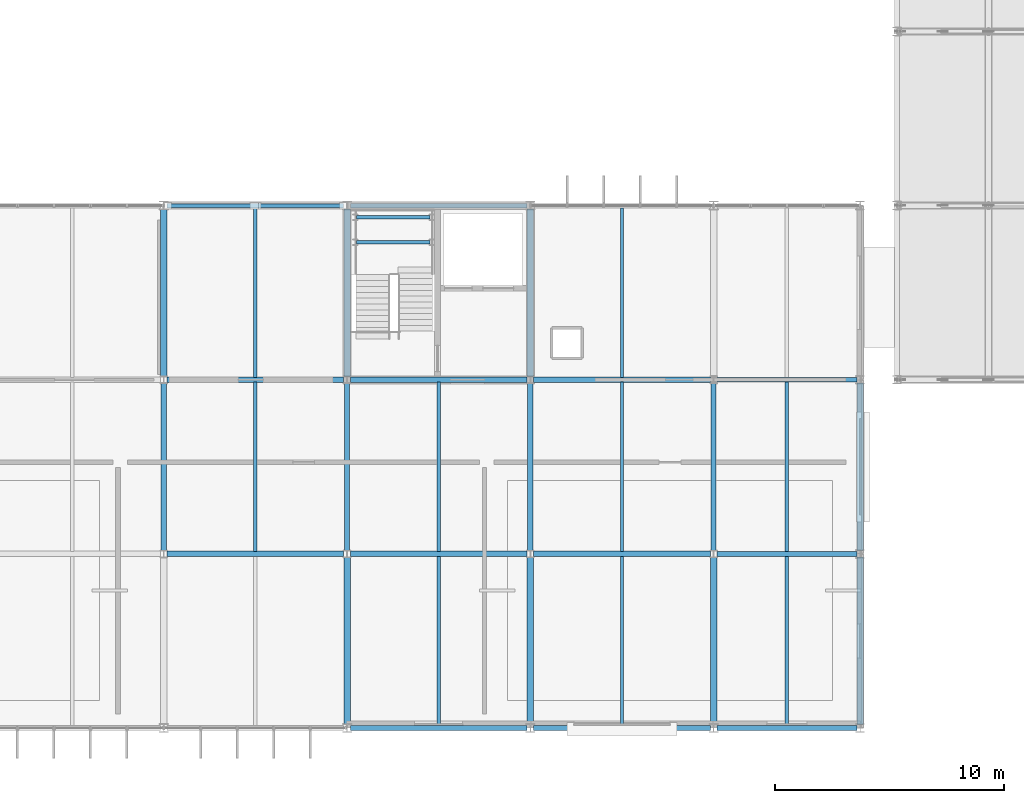
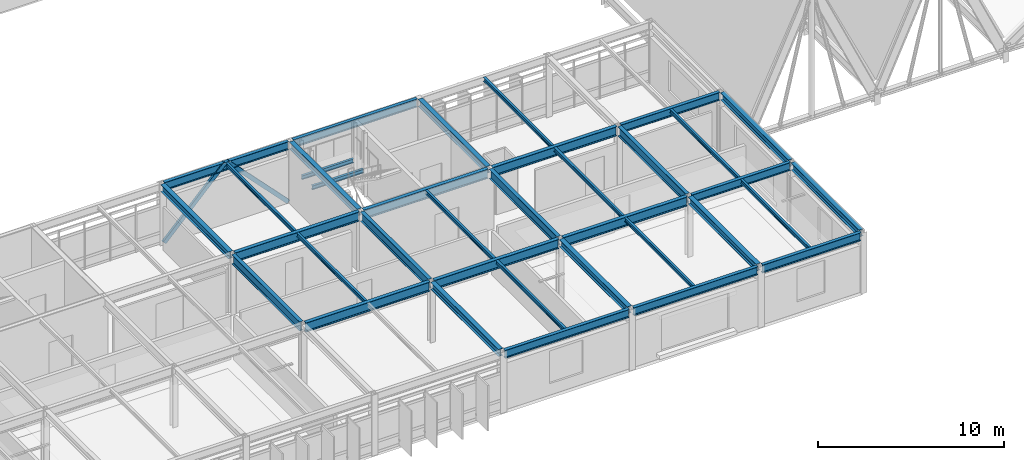
# One storey, part 28 of 85: 36 beams, 2 members.
"""IFC4 building model written with IfcOpenShell, lengths in metres."""

from ifc_helpers import new_model, si_unit, direction, frame, origin, origin_2d, place, context, subcontext, project, spatial, hollow_rectangle, i_section, extrude, material, material_profile, profile_set, type_object, element, save


model = new_model("IFC4")

# Units and contexts
model_context = context("Model", 3, precision=1e-05, world=origin(), true_north=direction((0.0, 1.0)))
body_context = subcontext(model_context, "Body", "Model", "MODEL_VIEW")
ifc_project = project(units=[si_unit("LENGTHUNIT", "METRE"), si_unit("AREAUNIT", "SQUARE_METRE"), si_unit("VOLUMEUNIT", "CUBIC_METRE"), si_unit("PLANEANGLEUNIT", "RADIAN"), si_unit("MASSUNIT", "GRAM", prefix="KILO")], contexts=[model_context])

# Site, building, storey
site_placement = place(None, origin())
site = spatial("IfcSite", under=ifc_project, at=site_placement, CompositionType="ELEMENT")
building_placement = place(site_placement, origin())
building = spatial("IfcBuilding", under=site, at=building_placement, Name="Zulena Civic Courthouse", CompositionType="ELEMENT")
storey_placement = place(building_placement, frame((0.0, 0.0, 25.199951171875)))
storey = spatial("IfcBuildingStorey", under=building, at=storey_placement, Name="L05", CompositionType="ELEMENT", Elevation=25.199951171875)

# Members
ifc_material_1 = material(Name="Steel ASTM A500 Grade C", Category="steel")
ifc_material_profile_1 = material_profile(ifc_material_1, hollow_rectangle(XDim=0.152099609375, YDim=0.25390625, WallThickness=0.0087890625, at=origin_2d()), Name="HSS10X6X3/8")
ifc_profile_set_1 = profile_set([ifc_material_profile_1], Name="Steel ASTM A500 Grade C")
member_type = type_object("IfcMemberType", Name="Brace_HSS10X6", PredefinedType="BRACE", material=ifc_profile_set_1)
for number, where, z_axis, x_axis, name in (
    (1, (36.14990234375, 22.800048828125, 0.010009765625), (0.693300076266, 0.0, 0.720649015992), (0.0, 1.0, 0.0), "brace:V2:L05:1:0"),
    (2, (43.85009765625, 22.800048828125, 0.010009765625), (-0.693300076266, 0.0, 0.720649015992), (0.0, -1.0, 0.0), "brace:V2:L05:1:1"),
):
    element("IfcMember", number, at=place(storey_placement, frame(where, z_axis=z_axis, x_axis=x_axis)), inside=storey, type_object=member_type, Name=name, PredefinedType="BRACE", context=body_context, shape_type="SweptSolid", body=[
        extrude(hollow_rectangle(XDim=0.152099609375, YDim=0.25390625, WallThickness=0.0087890625, at=origin_2d()), origin(), (0.0, 0.0, 1.0), 5.481201171875),
    ])

# Beams
ifc_material_2 = material(Name="Steel ASTM A992 Grade 50", Category="steel")
ifc_material_profile_2 = material_profile(ifc_material_2, i_section(OverallWidth=0.22802734375, OverallDepth=0.60693359375, WebThickness=0.01123046875, FlangeThickness=0.017333984375, FilletRadius=0.0126953125, at=origin_2d()), Name="W24X76")
ifc_profile_set_2 = profile_set([ifc_material_profile_2], Name="Steel ASTM A992 Grade 50")
beam_type_1 = type_object("IfcBeamType", Name="Girder_W24X76", PredefinedType="BEAM", material=ifc_profile_set_2)
for number, where, z_axis, x_axis, name in (
    (3, (36.0, 7.7451171875, 3.691650390625), (0.0, 1.0, 0.0), (-1.0, 0.0, 0.0), "beam:Y:V2:L05:36.0:7.6_15.2"),
    (4, (44.0, 7.7451171875, 3.691650390625), (0.0, 1.0, 0.0), (-1.0, 0.0, 0.0), "beam:Y:V2:L05:44.0:7.6_15.2"),
    (5, (52.0, 7.7451171875, 3.691650390625), (0.0, 1.0, 0.0), (-1.0, 0.0, 0.0), "beam:Y:V2:L05:52.0:7.6_15.2"),
    (6, (60.0, 7.7451171875, 3.691650390625), (0.0, 1.0, 0.0), (-1.0, 0.0, 0.0), "beam:Y:V2:L05:60.0:7.6_15.2"),
):
    element("IfcBeam", number, at=place(storey_placement, frame(where, z_axis=z_axis, x_axis=x_axis)), inside=storey, type_object=beam_type_1, Name=name, PredefinedType="BEAM", context=body_context, shape_type="SweptSolid", body=[
        extrude(i_section(OverallWidth=0.22802734375, OverallDepth=0.60693359375, WebThickness=0.01123046875, FlangeThickness=0.017333984375, FilletRadius=0.0126953125, at=origin_2d()), origin(), (0.0, 0.0, 1.0), 7.309814453125),
    ])
ifc_material_profile_3 = material_profile(ifc_material_2, i_section(OverallWidth=0.22998046875, OverallDepth=0.616943359375, WebThickness=0.01318359375, FlangeThickness=0.022216796875, FilletRadius=0.0126953125, at=origin_2d()), Name="W24X94")
ifc_profile_set_3 = profile_set([ifc_material_profile_3], Name="Steel ASTM A992 Grade 50")
beam_type_2 = type_object("IfcBeamType", Name="Girder_W24X94", PredefinedType="BEAM", material=ifc_profile_set_3)
for number, where, z_axis, x_axis, name in (
    (7, (36.14501953125, 7.60009765625, 3.6865234375), (1.0, 0.0, 0.0), (0.0, 1.0, 0.0), "beam:X:V2:L05:7.6:36.0_44.0"),
    (8, (44.14501953125, 7.60009765625, 3.6865234375), (1.0, 0.0, 0.0), (0.0, 1.0, 0.0), "beam:X:V2:L05:7.6:44.0_52.0"),
    (9, (52.14501953125, 7.60009765625, 3.6865234375), (1.0, 0.0, 0.0), (0.0, 1.0, 0.0), "beam:X:V2:L05:7.6:52.0_60.0"),
    (10, (36.14501953125, 15.199951171875, 3.6865234375), (1.0, 0.0, 0.0), (0.0, 1.0, 0.0), "beam:X:V2:L05:15.2:36.0_44.0"),
    (11, (44.14501953125, 15.199951171875, 3.6865234375), (1.0, 0.0, 0.0), (0.0, 1.0, 0.0), "beam:X:V2:L05:15.2:44.0_52.0"),
    (12, (52.14501953125, 15.199951171875, 3.6865234375), (1.0, 0.0, 0.0), (0.0, 1.0, 0.0), "beam:X:V2:L05:15.2:52.0_60.0"),
):
    element("IfcBeam", number, at=place(storey_placement, frame(where, z_axis=z_axis, x_axis=x_axis)), inside=storey, type_object=beam_type_2, Name=name, PredefinedType="BEAM", context=body_context, shape_type="SweptSolid", body=[
        extrude(i_section(OverallWidth=0.22998046875, OverallDepth=0.616943359375, WebThickness=0.01318359375, FlangeThickness=0.022216796875, FilletRadius=0.0126953125, at=origin_2d()), origin(), (0.0, 0.0, 1.0), 7.7099609375),
    ])
ifc_material_profile_4 = material_profile(ifc_material_2, i_section(OverallWidth=0.14599609375, OverallDepth=0.258056640625, WebThickness=0.006103515625, FlangeThickness=0.009033203125, FilletRadius=0.007568359375, at=origin_2d()), Name="W10X22")
ifc_profile_set_4 = profile_set([ifc_material_profile_4], Name="Steel ASTM A992 Grade 50")
beam_type_3 = type_object("IfcBeamType", Name="Joist_W10X22", PredefinedType="JOIST", material=ifc_profile_set_4)
beam_1_placement = place(storey_placement, frame((40.0, 7.705078125, 3.865966796875), z_axis=(0.0, 1.0, 0.0), x_axis=(-1.0, 0.0, 0.0)))
element("IfcBeam", 13, at=beam_1_placement, inside=storey, type_object=beam_type_3, Name="joist:V2:L05:40.00:7.6_15.2", PredefinedType="JOIST", context=body_context, shape_type="SweptSolid", body=[
    extrude(i_section(OverallWidth=0.14599609375, OverallDepth=0.258056640625, WebThickness=0.006103515625, FlangeThickness=0.009033203125, FilletRadius=0.007568359375, at=origin_2d()), origin(), (0.0, 0.0, 1.0), 7.389892578125),
])
for number, where, z_axis, x_axis, name in (
    (14, (40.0, 15.304931640625, 3.865966796875), (0.0, 1.0, 0.0), (-1.0, 0.0, 0.0), "joist:V2:L05:40.00:15.2_22.8"),
    (15, (48.0, 0.10498046875, 3.865966796875), (0.0, 1.0, 0.0), (-1.0, 0.0, 0.0), "joist:V2:L05:48.00:0.0_7.6"),
):
    element("IfcBeam", number, at=place(storey_placement, frame(where, z_axis=z_axis, x_axis=x_axis)), inside=storey, type_object=beam_type_3, Name=name, PredefinedType="JOIST", context=body_context, shape_type="SweptSolid", body=[
        extrude(i_section(OverallWidth=0.14599609375, OverallDepth=0.258056640625, WebThickness=0.006103515625, FlangeThickness=0.009033203125, FilletRadius=0.007568359375, at=origin_2d()), origin(), (0.0, 0.0, 1.0), 7.39013671875),
    ])
beam_2_placement = place(storey_placement, frame((48.0, 7.705078125, 3.865966796875), z_axis=(0.0, 1.0, 0.0), x_axis=(-1.0, 0.0, 0.0)))
element("IfcBeam", 16, at=beam_2_placement, inside=storey, type_object=beam_type_3, Name="joist:V2:L05:48.00:7.6_15.2", PredefinedType="JOIST", context=body_context, shape_type="SweptSolid", body=[
    extrude(i_section(OverallWidth=0.14599609375, OverallDepth=0.258056640625, WebThickness=0.006103515625, FlangeThickness=0.009033203125, FilletRadius=0.007568359375, at=origin_2d()), origin(), (0.0, 0.0, 1.0), 7.389892578125),
])
beam_3_placement = place(storey_placement, frame((56.0, 0.10498046875, 3.865966796875), z_axis=(0.0, 1.0, 0.0), x_axis=(-1.0, 0.0, 0.0)))
element("IfcBeam", 17, at=beam_3_placement, inside=storey, type_object=beam_type_3, Name="joist:V2:L05:56.00:0.0_7.6", PredefinedType="JOIST", context=body_context, shape_type="SweptSolid", body=[
    extrude(i_section(OverallWidth=0.14599609375, OverallDepth=0.258056640625, WebThickness=0.006103515625, FlangeThickness=0.009033203125, FilletRadius=0.007568359375, at=origin_2d()), origin(), (0.0, 0.0, 1.0), 7.39013671875),
])
beam_4_placement = place(storey_placement, frame((56.0, 7.705078125, 3.865966796875), z_axis=(0.0, 1.0, 0.0), x_axis=(-1.0, 0.0, 0.0)))
element("IfcBeam", 18, at=beam_4_placement, inside=storey, type_object=beam_type_3, Name="joist:V2:L05:56.00:7.6_15.2", PredefinedType="JOIST", context=body_context, shape_type="SweptSolid", body=[
    extrude(i_section(OverallWidth=0.14599609375, OverallDepth=0.258056640625, WebThickness=0.006103515625, FlangeThickness=0.009033203125, FilletRadius=0.007568359375, at=origin_2d()), origin(), (0.0, 0.0, 1.0), 7.389892578125),
])
for number, where, z_axis, x_axis, name in (
    (19, (56.0, 15.304931640625, 3.865966796875), (0.0, 1.0, 0.0), (-1.0, 0.0, 0.0), "joist:V2:L05:56.00:15.2_22.8"),
    (20, (63.199951171875, 0.10498046875, 3.865966796875), (0.0, 1.0, 0.0), (-1.0, 0.0, 0.0), "joist:V2:L05:63.20:0.0_7.6"),
):
    element("IfcBeam", number, at=place(storey_placement, frame(where, z_axis=z_axis, x_axis=x_axis)), inside=storey, type_object=beam_type_3, Name=name, PredefinedType="JOIST", context=body_context, shape_type="SweptSolid", body=[
        extrude(i_section(OverallWidth=0.14599609375, OverallDepth=0.258056640625, WebThickness=0.006103515625, FlangeThickness=0.009033203125, FilletRadius=0.007568359375, at=origin_2d()), origin(), (0.0, 0.0, 1.0), 7.39013671875),
    ])
beam_5_placement = place(storey_placement, frame((63.199951171875, 7.705078125, 3.865966796875), z_axis=(0.0, 1.0, 0.0), x_axis=(-1.0, 0.0, 0.0)))
element("IfcBeam", 21, at=beam_5_placement, inside=storey, type_object=beam_type_3, Name="joist:V2:L05:63.20:7.6_15.2", PredefinedType="JOIST", context=body_context, shape_type="SweptSolid", body=[
    extrude(i_section(OverallWidth=0.14599609375, OverallDepth=0.258056640625, WebThickness=0.006103515625, FlangeThickness=0.009033203125, FilletRadius=0.007568359375, at=origin_2d()), origin(), (0.0, 0.0, 1.0), 7.389892578125),
])
for number, where, z_axis, x_axis, name in (
    (22, (44.419921875, 21.199951171875, 1.691162109375), (1.0, 0.0, 0.0), (0.0, 1.0, 0.0), "beam:lnd:K2B:L05:0"),
    (23, (44.419921875, 22.300048828125, 1.691162109375), (1.0, 0.0, 0.0), (0.0, 1.0, 0.0), "beam:lnd:K2B:L05:1"),
):
    element("IfcBeam", number, at=place(storey_placement, frame(where, z_axis=z_axis, x_axis=x_axis)), inside=storey, type_object=beam_type_3, Name=name, PredefinedType="JOIST", context=body_context, shape_type="SweptSolid", body=[
        extrude(i_section(OverallWidth=0.14599609375, OverallDepth=0.258056640625, WebThickness=0.006103515625, FlangeThickness=0.009033203125, FilletRadius=0.007568359375, at=origin_2d()), origin(), (0.0, 0.0, 1.0), 3.2001953125),
    ])
ifc_material_profile_5 = material_profile(ifc_material_2, i_section(OverallWidth=0.280029296875, OverallDepth=0.462890625, WebThickness=0.0107421875, FlangeThickness=0.017333984375, FilletRadius=0.01025390625, at=origin_2d()), Name="W18X76")
ifc_profile_set_5 = profile_set([ifc_material_profile_5], Name="Steel ASTM A992 Grade 50")
beam_type_4 = type_object("IfcBeamType", Name="Spandrel_W18X76", PredefinedType="SPANDREL", material=ifc_profile_set_5)
for number, where, z_axis, x_axis, name in (
    (24, (36.0, 15.344970703125, 3.763427734375), (0.0, 1.0, 0.0), (-1.0, 0.0, 0.0), "beam:Y:V2:L05:36.0:15.2_22.8"),
    (25, (44.0, 0.14501953125, 3.763427734375), (0.0, 1.0, 0.0), (-1.0, 0.0, 0.0), "beam:Y:V2:L05:44.0:0.0_7.6"),
    (26, (44.0, 15.344970703125, 3.763427734375), (0.0, 1.0, 0.0), (-1.0, 0.0, 0.0), "beam:Y:V2:L05:44.0:15.2_22.8"),
    (27, (52.0, 0.14501953125, 3.763427734375), (0.0, 1.0, 0.0), (-1.0, 0.0, 0.0), "beam:Y:V2:L05:52.0:0.0_7.6"),
    (28, (52.0, 15.344970703125, 3.763427734375), (0.0, 1.0, 0.0), (-1.0, 0.0, 0.0), "beam:Y:V2:L05:52.0:15.2_22.8"),
    (29, (60.0, 0.14501953125, 3.763427734375), (0.0, 1.0, 0.0), (-1.0, 0.0, 0.0), "beam:Y:V2:L05:60.0:0.0_7.6"),
    (30, (66.39990234375, 0.14501953125, 3.763427734375), (0.0, 1.0, 0.0), (-1.0, 0.0, 0.0), "beam:Y:V2:L05:66.4:0.0_7.6"),
):
    element("IfcBeam", number, at=place(storey_placement, frame(where, z_axis=z_axis, x_axis=x_axis)), inside=storey, type_object=beam_type_4, Name=name, PredefinedType="SPANDREL", context=body_context, shape_type="SweptSolid", body=[
        extrude(i_section(OverallWidth=0.280029296875, OverallDepth=0.462890625, WebThickness=0.0107421875, FlangeThickness=0.017333984375, FilletRadius=0.01025390625, at=origin_2d()), origin(), (0.0, 0.0, 1.0), 7.31005859375),
    ])
beam_6_placement = place(storey_placement, frame((66.39990234375, 7.7451171875, 3.763427734375), z_axis=(0.0, 1.0, 0.0), x_axis=(-1.0, 0.0, 0.0)))
element("IfcBeam", 31, at=beam_6_placement, inside=storey, type_object=beam_type_4, Name="beam:Y:V2:L05:66.4:7.6_15.2", PredefinedType="SPANDREL", context=body_context, shape_type="SweptSolid", body=[
    extrude(i_section(OverallWidth=0.280029296875, OverallDepth=0.462890625, WebThickness=0.0107421875, FlangeThickness=0.017333984375, FilletRadius=0.01025390625, at=origin_2d()), origin(), (0.0, 0.0, 1.0), 7.309814453125),
])
ifc_material_profile_6 = material_profile(ifc_material_2, i_section(OverallWidth=0.2099609375, OverallDepth=0.537109375, WebThickness=0.010986328125, FlangeThickness=0.017333984375, FilletRadius=0.0126953125, at=origin_2d()), Name="W21X68")
ifc_profile_set_6 = profile_set([ifc_material_profile_6], Name="Steel ASTM A992 Grade 50")
beam_type_5 = type_object("IfcBeamType", Name="Spandrel_W21X68", PredefinedType="SPANDREL", material=ifc_profile_set_6)
for number, where, z_axis, x_axis, name in (
    (32, (44.14501953125, 0.0, 3.7265625), (1.0, 0.0, 0.0), (0.0, 1.0, 0.0), "beam:X:V2:L05:0.0:44.0_52.0"),
    (33, (52.14501953125, 0.0, 3.7265625), (1.0, 0.0, 0.0), (0.0, 1.0, 0.0), "beam:X:V2:L05:0.0:52.0_60.0"),
):
    element("IfcBeam", number, at=place(storey_placement, frame(where, z_axis=z_axis, x_axis=x_axis)), inside=storey, type_object=beam_type_5, Name=name, PredefinedType="SPANDREL", context=body_context, shape_type="SweptSolid", body=[
        extrude(i_section(OverallWidth=0.2099609375, OverallDepth=0.537109375, WebThickness=0.010986328125, FlangeThickness=0.017333984375, FilletRadius=0.0126953125, at=origin_2d()), origin(), (0.0, 0.0, 1.0), 7.7099609375),
    ])
for number, where, z_axis, x_axis, name in (
    (34, (60.14501953125, 0.0, 3.7265625), (1.0, 0.0, 0.0), (0.0, 1.0, 0.0), "beam:X:V2:L05:0.0:60.0_66.4"),
    (35, (60.14501953125, 7.60009765625, 3.7265625), (1.0, 0.0, 0.0), (0.0, 1.0, 0.0), "beam:X:V2:L05:7.6:60.0_66.4"),
    (36, (60.14501953125, 15.199951171875, 3.7265625), (1.0, 0.0, 0.0), (0.0, 1.0, 0.0), "beam:X:V2:L05:15.2:60.0_66.4"),
):
    element("IfcBeam", number, at=place(storey_placement, frame(where, z_axis=z_axis, x_axis=x_axis)), inside=storey, type_object=beam_type_5, Name=name, PredefinedType="SPANDREL", context=body_context, shape_type="SweptSolid", body=[
        extrude(i_section(OverallWidth=0.2099609375, OverallDepth=0.537109375, WebThickness=0.010986328125, FlangeThickness=0.017333984375, FilletRadius=0.0126953125, at=origin_2d()), origin(), (0.0, 0.0, 1.0), 6.10986328125),
    ])
for number, where, z_axis, x_axis, name in (
    (37, (36.14501953125, 22.800048828125, 3.7265625), (1.0, 0.0, 0.0), (0.0, 1.0, 0.0), "beam:X:V2:L05:22.8:36.0_44.0"),
    (38, (44.14501953125, 22.800048828125, 3.7265625), (1.0, 0.0, 0.0), (0.0, 1.0, 0.0), "beam:X:V2:L05:22.8:44.0_52.0"),
):
    element("IfcBeam", number, at=place(storey_placement, frame(where, z_axis=z_axis, x_axis=x_axis)), inside=storey, type_object=beam_type_5, Name=name, PredefinedType="SPANDREL", context=body_context, shape_type="SweptSolid", body=[
        extrude(i_section(OverallWidth=0.2099609375, OverallDepth=0.537109375, WebThickness=0.010986328125, FlangeThickness=0.017333984375, FilletRadius=0.0126953125, at=origin_2d()), origin(), (0.0, 0.0, 1.0), 7.7099609375),
    ])

save(model, "model.ifc")
